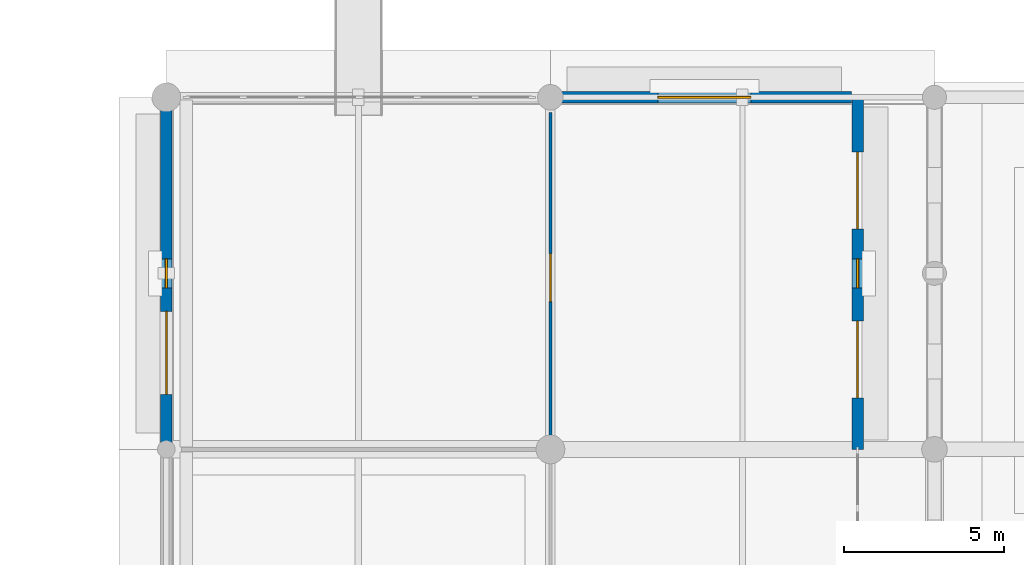
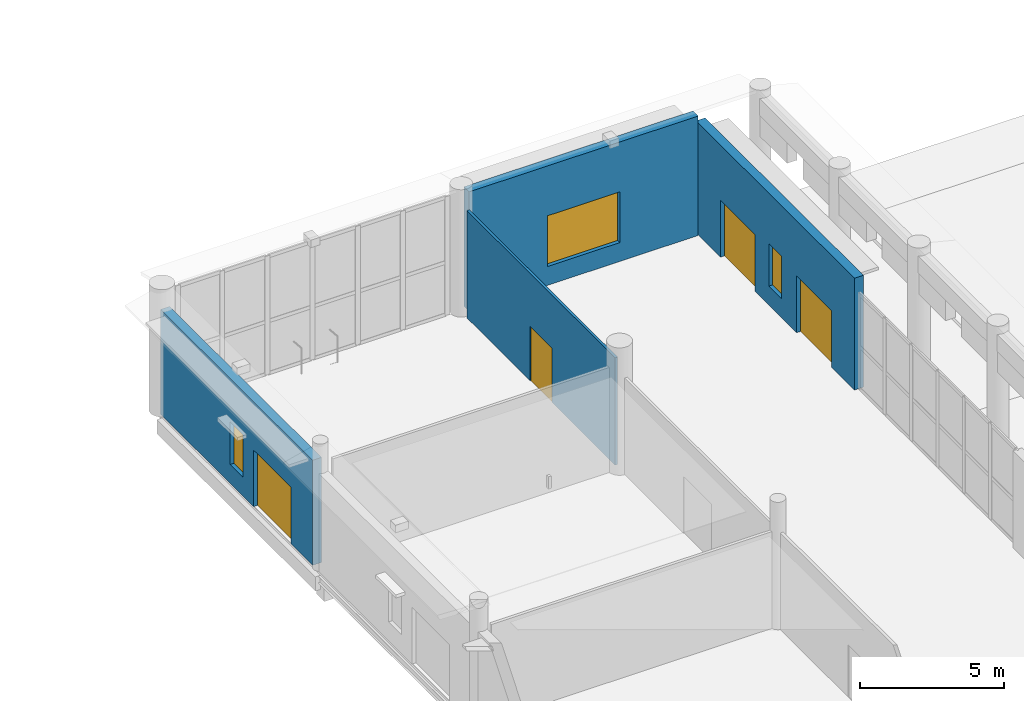
# One storey, part 69 of 120: 4 doors, 4 walls, 3 windows, 7 openings.
"""IFC4 building model written with IfcOpenShell, lengths in metres."""

from ifc_helpers import new_model, si_unit, direction, frame, frame_2d, origin, place, context, subcontext, project, spatial, rectangle, extrude, material, layer, layer_set, type_object, element, fill, save


model = new_model("IFC4")

# Units and contexts
model_context = context("Model", 3, precision=1e-05, world=origin(), true_north=direction((0.0, 1.0)))
body_context = subcontext(model_context, "Body", "Model", "MODEL_VIEW")
ifc_project = project(units=[si_unit("LENGTHUNIT", "METRE"), si_unit("AREAUNIT", "SQUARE_METRE"), si_unit("VOLUMEUNIT", "CUBIC_METRE"), si_unit("PLANEANGLEUNIT", "RADIAN"), si_unit("MASSUNIT", "GRAM", prefix="KILO")], contexts=[model_context])

# Site, building, storey
site_placement = place(None, origin())
site = spatial("IfcSite", under=ifc_project, at=site_placement, CompositionType="ELEMENT")
building_placement = place(site_placement, origin())
building = spatial("IfcBuilding", under=site, at=building_placement, Name="Luwafu Chhajja Arena", CompositionType="ELEMENT")
storey_placement = place(building_placement, origin())
storey = spatial("IfcBuildingStorey", under=building, at=storey_placement, Name="L00", CompositionType="ELEMENT", Elevation=0.0)

# Wall, opening, door
ifc_material_1 = material(Name="Gypsum plasterboard partition")
ifc_layer_1 = layer(ifc_material_1, 0.10009765625, Name="Gypsum plasterboard partition")
ifc_layer_set_1 = layer_set([ifc_layer_1], Name="Gypsum plasterboard partition")
wall_type_1 = type_object("IfcWallType", Name="Drywall Lining Partition 100", PredefinedType="PARTITIONING", material=ifc_layer_set_1)
wall_1_placement = place(storey_placement, frame((46.0, 121.219970703125, 0.0), z_axis=(0.0, 0.0, 1.0), x_axis=(0.0, 1.0, 0.0)))
wall_1 = element("IfcWall", 1, at=wall_1_placement, inside=storey, type_object=wall_type_1, Name="L00 Internal Partition 0161", PredefinedType="PARTITIONING", context=body_context, shape_type="SweptSolid", body=[
    extrude(rectangle(XDim=10.300048828125, YDim=0.10009765625, at=frame_2d((5.14990234375, 0.0))), origin(), (0.0, 0.0, 1.0), 4.550048828125),
])
opening_1_placement = place(wall_1_placement, frame((4.39990234375, 0.0, 0.0)))
opening_1 = element("IfcOpeningElement", 2, at=opening_1_placement, cuts=wall_1, Name="Opening DR-30", PredefinedType="OPENING", context=body_context, shape_type="SweptSolid", body=[
    extrude(rectangle(XDim=1.5, YDim=2.300048828125, at=frame_2d((0.75, 1.14990234375))), frame((0.0, 0.06005859375, 0.0), z_axis=(0.0, -1.0, 0.0), x_axis=(1.0, 0.0, 0.0)), (0.0, 0.0, 1.0), 0.1201171875),
])
ifc_material_2 = material(Name="Anodised bronze glazed double door")
door_type_1 = type_object("IfcDoorType", Name="DR-30", OperationType="DOUBLE_DOOR_SINGLE_SWING", PredefinedType="DOOR", material=ifc_material_2)
door_1_placement = place(opening_1_placement, origin())
door_1 = element("IfcDoor", 3, at=door_1_placement, inside=storey, type_object=door_type_1, Name="L00 Interior Door L00-D042", OperationType="DOUBLE_DOOR_SINGLE_SWING", OverallHeight=2.300048828125, OverallWidth=1.5, PredefinedType="DOOR", context=body_context, shape_type="SweptSolid", body=[
    extrude(rectangle(XDim=1.5, YDim=2.300048828125, at=frame_2d((0.75, 1.14990234375))), frame((0.0, 0.02490234375, 0.0), z_axis=(0.0, -1.0, 0.0), x_axis=(1.0, 0.0, 0.0)), (0.0, 0.0, 1.0), 0.050048828125),
])
fill(opening_1, door_1)

# Wall, openings, window, door
ifc_material_3 = material(Name="Concrete C35/45", Category="concrete")
ifc_layer_2 = layer(ifc_material_3, 0.360107421875, Name="Concrete C35/45")
ifc_layer_set_2 = layer_set([ifc_layer_2], Name="Concrete C35/45")
wall_type_2 = type_object("IfcWallType", Name="Sandstone Backed Exterior Wall 360", PredefinedType="SOLIDWALL", material=ifc_layer_set_2)
wall_2_placement = place(storey_placement, frame((34.0, 121.219970703125, 0.0), z_axis=(0.0, 0.0, 1.0), x_axis=(0.0, 1.0, 0.0)))
wall_2 = element("IfcWall", 4, at=wall_2_placement, inside=storey, type_object=wall_type_2, Name="L00 Exterior Wall WEX-L00-071", PredefinedType="SOLIDWALL", context=body_context, shape_type="SweptSolid", body=[
    extrude(rectangle(XDim=10.56005859375, YDim=0.360107421875, at=frame_2d((5.280029296875, 0.0))), origin(), (0.0, 0.0, 1.0), 4.449951171875),
])
opening_2_placement = place(wall_2_placement, frame((1.49560546875, 0.0, 0.0)))
opening_2 = element("IfcOpeningElement", 5, at=opening_2_placement, cuts=wall_2, Name="Opening DR-01", PredefinedType="OPENING", context=body_context, shape_type="SweptSolid", body=[
    extrude(rectangle(XDim=2.60009765625, YDim=2.39990234375, at=frame_2d((1.300048828125, 1.199951171875))), frame((0.0, 0.18994140625, 0.0), z_axis=(0.0, -1.0, 0.0), x_axis=(1.0, 0.0, 0.0)), (0.0, 0.0, 1.0), 0.380126953125),
])
opening_3_placement = place(wall_2_placement, frame((4.830078125, 0.0, 0.800048828125)))
opening_3 = element("IfcOpeningElement", 6, at=opening_3_placement, cuts=wall_2, Name="Opening WN-16", PredefinedType="OPENING", context=body_context, shape_type="SweptSolid", body=[
    extrude(rectangle(XDim=0.89990234375, YDim=1.800048828125, at=frame_2d((0.449951171875, 0.89990234375))), frame((0.0, 0.18994140625, 0.0), z_axis=(0.0, -1.0, 0.0), x_axis=(1.0, 0.0, 0.0)), (0.0, 0.0, 1.0), 0.380126953125),
])
ifc_material_4 = material(Name="Solar-control laminated glass", Category="glass")
window_type_1 = type_object("IfcWindowType", Name="Stair Core Daylight Slot Window 900x1800", PartitioningType="SINGLE_PANEL", PredefinedType="WINDOW", material=ifc_material_4)
window_1_placement = place(opening_3_placement, origin())
window_1 = element("IfcWindow", 7, at=window_1_placement, inside=storey, type_object=window_type_1, Name="L00 Facade Window 271", OverallHeight=1.800048828125, OverallWidth=0.89990234375, PartitioningType="SINGLE_PANEL", PredefinedType="WINDOW", context=body_context, shape_type="SweptSolid", body=[
    extrude(rectangle(XDim=0.89990234375, YDim=1.800048828125, at=frame_2d((0.449951171875, 0.89990234375))), frame((0.0, 0.030029296875, 0.0), z_axis=(0.0, -1.0, 0.0), x_axis=(1.0, 0.0, 0.0)), (0.0, 0.0, 1.0), 0.06005859375),
])
fill(opening_3, window_1)
ifc_material_5 = material(Name="Anodised bronze aluminium and toughened glass", Category="aluminium")
door_type_2 = type_object("IfcDoorType", Name="DR-01", OperationType="DOUBLE_DOOR_SINGLE_SWING", PredefinedType="DOOR", material=ifc_material_5)
door_2_placement = place(opening_2_placement, origin())
door_2 = element("IfcDoor", 8, at=door_2_placement, inside=storey, type_object=door_type_2, Name="Stair Exit Discharge Door SX-13", OperationType="DOUBLE_DOOR_SINGLE_SWING", OverallHeight=2.39990234375, OverallWidth=2.60009765625, PredefinedType="DOOR", context=body_context, shape_type="SweptSolid", body=[
    extrude(rectangle(XDim=2.60009765625, YDim=2.39990234375, at=frame_2d((1.300048828125, 1.199951171875))), frame((0.0, 0.02490234375, 0.0), z_axis=(0.0, -1.0, 0.0), x_axis=(1.0, 0.0, 0.0)), (0.0, 0.0, 1.0), 0.050048828125),
])
fill(opening_2, door_2)

# Wall, opening, window
wall_3_placement = place(storey_placement, frame((46.219970703125, 132.0, 0.0), z_axis=(0.0, 0.0, 1.0), x_axis=(1.0, 0.0, 0.0)))
wall_3 = element("IfcWall", 9, at=wall_3_placement, inside=storey, type_object=wall_type_2, Name="L00 Exterior Wall WEX-L00-074", PredefinedType="SOLIDWALL", context=body_context, shape_type="SweptSolid", body=[
    extrude(rectangle(XDim=9.179931640625, YDim=0.360107421875, at=frame_2d((4.58984375, 0.0))), origin(), (0.0, 0.0, 1.0), 5.06494140625),
])
opening_4_placement = place(wall_3_placement, frame((3.139892578125, 0.0, 0.800048828125)))
opening_4 = element("IfcOpeningElement", 10, at=opening_4_placement, cuts=wall_3, Name="Opening WN-22", PredefinedType="OPENING", context=body_context, shape_type="SweptSolid", body=[
    extrude(rectangle(XDim=2.89990234375, YDim=2.14990234375, at=frame_2d((1.449951171875, 1.074951171875))), frame((0.0, 0.18994140625, 0.0), z_axis=(0.0, -1.0, 0.0), x_axis=(1.0, 0.0, 0.0)), (0.0, 0.0, 1.0), 0.380126953125),
])
window_type_2 = type_object("IfcWindowType", Name="Team Shop Display Window 2900x2150", PartitioningType="SINGLE_PANEL", PredefinedType="WINDOW", material=ifc_material_4)
window_2_placement = place(opening_4_placement, origin())
window_2 = element("IfcWindow", 11, at=window_2_placement, inside=storey, type_object=window_type_2, Name="L00 Facade Window 273", OverallHeight=2.14990234375, OverallWidth=2.89990234375, PartitioningType="SINGLE_PANEL", PredefinedType="WINDOW", context=body_context, shape_type="SweptSolid", body=[
    extrude(rectangle(XDim=2.89990234375, YDim=2.14990234375, at=frame_2d((1.449951171875, 1.074951171875))), frame((0.0, 0.030029296875, 0.0), z_axis=(0.0, -1.0, 0.0), x_axis=(1.0, 0.0, 0.0)), (0.0, 0.0, 1.0), 0.06005859375),
])
fill(opening_4, window_2)

# Wall, openings, doors, window
wall_4_placement = place(storey_placement, frame((55.60009765625, 121.0, 0.0), z_axis=(0.0, 0.0, 1.0), x_axis=(0.0, 1.0, 0.0)))
wall_4 = element("IfcWall", 12, at=wall_4_placement, inside=storey, type_object=wall_type_2, Name="L00 Exterior Wall WEX-L00-075", PredefinedType="SOLIDWALL", context=body_context, shape_type="SweptSolid", body=[
    extrude(rectangle(XDim=11.0, YDim=0.360107421875, at=frame_2d((5.5, 0.0))), origin(), (0.0, 0.0, 1.0), 4.743408203125),
])
opening_5_placement = place(wall_4_placement, frame((1.610107421875, 0.0, 0.0)))
opening_5 = element("IfcOpeningElement", 13, at=opening_5_placement, cuts=wall_4, Name="Opening GD-01", PredefinedType="OPENING", context=body_context, shape_type="SweptSolid", body=[
    extrude(rectangle(XDim=2.39990234375, YDim=2.39990234375, at=frame_2d((1.199951171875, 1.199951171875))), frame((0.0, 0.18994140625, 0.0), z_axis=(0.0, -1.0, 0.0), x_axis=(1.0, 0.0, 0.0)), (0.0, 0.0, 1.0), 0.380126953125),
])
opening_6_placement = place(wall_4_placement, frame((6.889892578125, 0.0, 0.0)))
opening_6 = element("IfcOpeningElement", 14, at=opening_6_placement, cuts=wall_4, Name="Opening GD-01", PredefinedType="OPENING", context=body_context, shape_type="SweptSolid", body=[
    extrude(rectangle(XDim=2.39990234375, YDim=2.39990234375, at=frame_2d((1.199951171875, 1.199951171875))), frame((0.0, 0.18994140625, 0.0), z_axis=(0.0, -1.0, 0.0), x_axis=(1.0, 0.0, 0.0)), (0.0, 0.0, 1.0), 0.380126953125),
])
opening_7_placement = place(wall_4_placement, frame((5.050048828125, 0.0, 0.800048828125)))
opening_7 = element("IfcOpeningElement", 15, at=opening_7_placement, cuts=wall_4, Name="Opening WN-16", PredefinedType="OPENING", context=body_context, shape_type="SweptSolid", body=[
    extrude(rectangle(XDim=0.89990234375, YDim=1.800048828125, at=frame_2d((0.449951171875, 0.89990234375))), frame((0.0, 0.18994140625, 0.0), z_axis=(0.0, -1.0, 0.0), x_axis=(1.0, 0.0, 0.0)), (0.0, 0.0, 1.0), 0.380126953125),
])
door_type_3 = type_object("IfcDoorType", Name="GD-01", OperationType="DOUBLE_DOOR_SINGLE_SWING", PredefinedType="DOOR", material=ifc_material_5)
door_3_placement = place(opening_5_placement, frame((2.39990234375, 0.0, 0.0), z_axis=(0.0, 0.0, 1.0), x_axis=(-1.0, 0.0, 0.0)))
door_3 = element("IfcDoor", 16, at=door_3_placement, inside=storey, type_object=door_type_3, Name="Pedestrian exit gate GT-02", OperationType="DOUBLE_DOOR_SINGLE_SWING", OverallHeight=2.39990234375, OverallWidth=2.39990234375, PredefinedType="DOOR", context=body_context, shape_type="SweptSolid", body=[
    extrude(rectangle(XDim=2.39990234375, YDim=2.39990234375, at=frame_2d((1.199951171875, 1.199951171875))), frame((0.0, 0.02490234375, 0.0), z_axis=(0.0, -1.0, 0.0), x_axis=(1.0, 0.0, 0.0)), (0.0, 0.0, 1.0), 0.050048828125),
])
fill(opening_5, door_3)
door_4_placement = place(opening_6_placement, frame((2.39990234375, 0.0, 0.0), z_axis=(0.0, 0.0, 1.0), x_axis=(-1.0, 0.0, 0.0)))
door_4 = element("IfcDoor", 17, at=door_4_placement, inside=storey, type_object=door_type_3, Name="Pedestrian exit gate GT-03", OperationType="DOUBLE_DOOR_SINGLE_SWING", OverallHeight=2.39990234375, OverallWidth=2.39990234375, PredefinedType="DOOR", context=body_context, shape_type="SweptSolid", body=[
    extrude(rectangle(XDim=2.39990234375, YDim=2.39990234375, at=frame_2d((1.199951171875, 1.199951171875))), frame((0.0, 0.02490234375, 0.0), z_axis=(0.0, -1.0, 0.0), x_axis=(1.0, 0.0, 0.0)), (0.0, 0.0, 1.0), 0.050048828125),
])
fill(opening_6, door_4)
window_3_placement = place(opening_7_placement, origin())
window_3 = element("IfcWindow", 18, at=window_3_placement, inside=storey, type_object=window_type_1, Name="L00 Facade Window 274", OverallHeight=1.800048828125, OverallWidth=0.89990234375, PartitioningType="SINGLE_PANEL", PredefinedType="WINDOW", context=body_context, shape_type="SweptSolid", body=[
    extrude(rectangle(XDim=0.89990234375, YDim=1.800048828125, at=frame_2d((0.449951171875, 0.89990234375))), frame((0.0, 0.030029296875, 0.0), z_axis=(0.0, -1.0, 0.0), x_axis=(1.0, 0.0, 0.0)), (0.0, 0.0, 1.0), 0.06005859375),
])
fill(opening_7, window_3)

save(model, "model.ifc")
